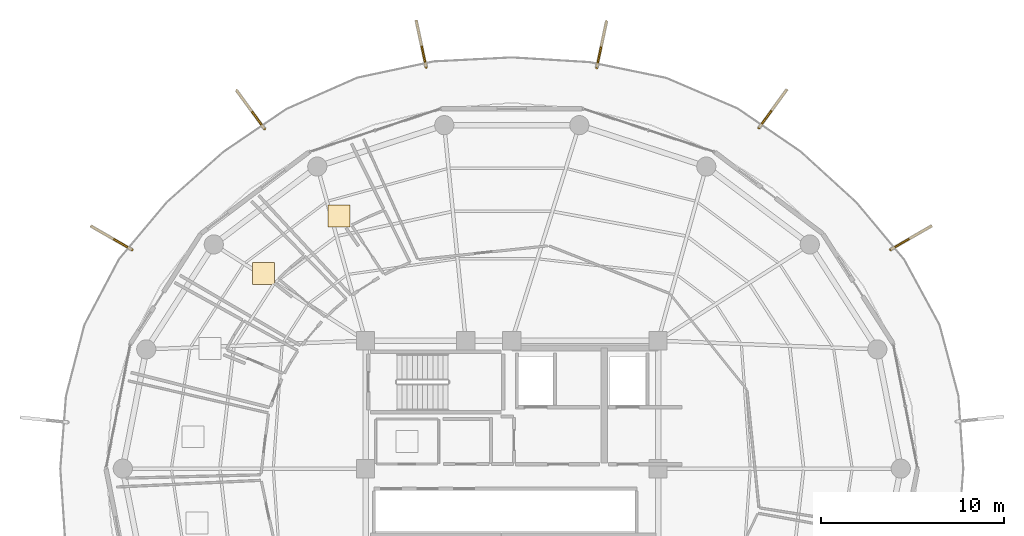
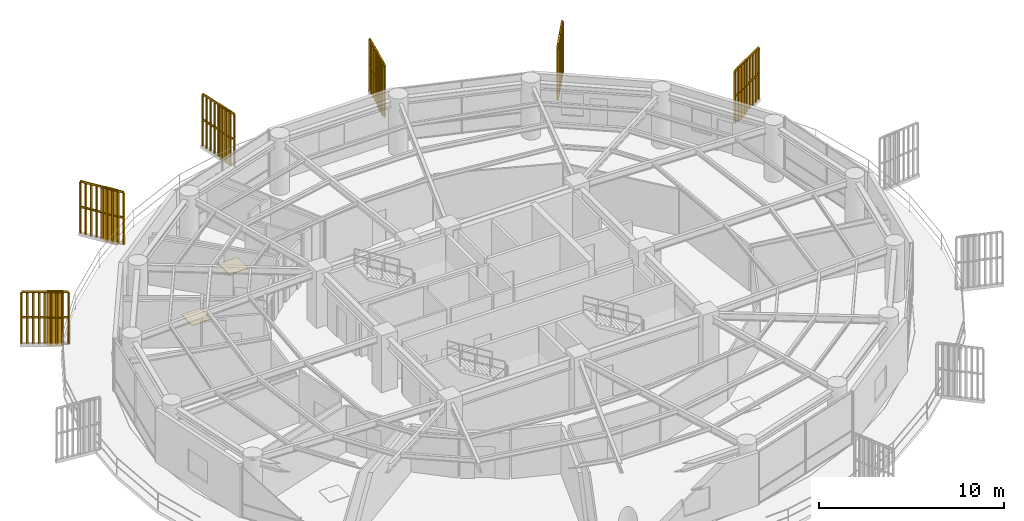
# One storey, part 31 of 31: 6 railings, 6 shading devices, 2 coverings.
"""IFC4 building model written with IfcOpenShell, lengths in metres."""

from ifc_helpers import new_model, si_unit, direction, frame, origin, origin_2d, place, context, subcontext, project, spatial, polyline, rectangle, outline, extrude, source, transform, mapped, material, layer, layer_set, type_object, element, save


model = new_model("IFC4")

# Units and contexts
model_context = context("Model", 3, precision=1e-05, world=origin(), true_north=direction((0.0, 1.0)))
body_context = subcontext(model_context, "Body", "Model", "MODEL_VIEW")
ifc_project = project(units=[si_unit("LENGTHUNIT", "METRE"), si_unit("AREAUNIT", "SQUARE_METRE"), si_unit("VOLUMEUNIT", "CUBIC_METRE"), si_unit("PLANEANGLEUNIT", "RADIAN"), si_unit("MASSUNIT", "GRAM", prefix="KILO")], contexts=[model_context])

# Site, building, storey
site_placement = place(None, origin())
site = spatial("IfcSite", under=ifc_project, at=site_placement, CompositionType="ELEMENT")
building_placement = place(site_placement, origin())
building = spatial("IfcBuilding", under=site, at=building_placement, Name="Kelanora Arch Commons", CompositionType="ELEMENT")
storey_placement = place(building_placement, frame((0.0, 0.0, 226.949951171875)))
storey = spatial("IfcBuildingStorey", under=building, at=storey_placement, Name="L58", CompositionType="ELEMENT", Elevation=226.949951171875)

# Railings
ifc_material_1 = material(Name="Anodised bronze vertical shading fin rib assembly")
railing_type = type_object("IfcRailingType", Name="RAIL-FIN-BRZ", PredefinedType="BALUSTRADE", material=ifc_material_1)
railing_1_placement = place(storey_placement, frame((94.722412109375, 69.984375, -0.02001953125)))
element("IfcRailing", 1, at=railing_1_placement, inside=storey, type_object=railing_type, Name="Sweeping Bronze Vertical Fin Blade L58-03", PredefinedType="BALUSTRADE", context=body_context, shape_type="SweptSolid", body=[
    extrude(outline(polyline([(0.06982421875, 0.0), (0.034912109375, 0.060546875), (-0.034912109375, 0.060546875), (-0.06982421875, 0.0), (-0.034912109375, -0.060546875), (0.034912109375, -0.060546875), (0.06982421875, 0.0)])), frame((0.0, 0.0, 3.419921875), z_axis=(0.865668200455, 0.500618184569, 0.0), x_axis=(-0.500618184569, 0.865668200455, 0.0)), (0.0, 0.0, 1.0), 2.555419921875),
    extrude(outline(polyline([(0.06982421875, 0.0), (0.034912109375, 0.060546875), (-0.034912109375, 0.060546875), (-0.06982421875, 0.0), (-0.034912109375, -0.060546875), (0.034912109375, -0.060546875), (0.06982421875, 0.0)])), frame((0.0, 0.0, 1.7451171875), z_axis=(0.865668200455, 0.500618184569, 0.0), x_axis=(-0.500618184569, 0.865668200455, 0.0)), (0.0, 0.0, 1.0), 2.555419921875),
    extrude(outline(polyline([(0.080078125, 0.0), (0.0400390625, 0.0693359375), (-0.0400390625, 0.0693359375), (-0.080078125, 0.0), (-0.0400390625, -0.0693359375), (0.0400390625, -0.0693359375), (0.080078125, 0.0)])), origin(), (0.0, 0.0, 1.0), 3.35009765625),
    extrude(outline(polyline([(0.080078125, 0.0), (0.0400390625, 0.0693359375), (-0.0400390625, 0.0693359375), (-0.080078125, 0.0), (-0.0400390625, -0.0693359375), (0.0400390625, -0.0693359375), (0.080078125, 0.0)])), frame((0.276611328125, 0.159912109375, 0.0)), (0.0, 0.0, 1.0), 3.35009765625),
    extrude(outline(polyline([(0.080078125, 0.0), (0.0400390625, 0.0693359375), (-0.0400390625, 0.0693359375), (-0.080078125, 0.0), (-0.0400390625, -0.0693359375), (0.0400390625, -0.0693359375), (0.080078125, 0.0)])), frame((0.552978515625, 0.31982421875, 0.0)), (0.0, 0.0, 1.0), 3.35009765625),
    extrude(outline(polyline([(0.080078125, 0.0), (0.0400390625, 0.0693359375), (-0.0400390625, 0.0693359375), (-0.080078125, 0.0), (-0.0400390625, -0.0693359375), (0.0400390625, -0.0693359375), (0.080078125, 0.0)])), frame((0.82958984375, 0.479736328125, 0.0)), (0.0, 0.0, 1.0), 3.35009765625),
    extrude(outline(polyline([(0.080078125, 0.0), (0.0400390625, 0.0693359375), (-0.0400390625, 0.0693359375), (-0.080078125, 0.0), (-0.0400390625, -0.0693359375), (0.0400390625, -0.0693359375), (0.080078125, 0.0)])), frame((1.10595703125, 0.6396484375, 0.0)), (0.0, 0.0, 1.0), 3.35009765625),
    extrude(outline(polyline([(0.080078125, 0.0), (0.0400390625, 0.0693359375), (-0.0400390625, 0.0693359375), (-0.080078125, 0.0), (-0.0400390625, -0.0693359375), (0.0400390625, -0.0693359375), (0.080078125, 0.0)])), frame((1.382568359375, 0.799560546875, 0.0)), (0.0, 0.0, 1.0), 3.35009765625),
    extrude(outline(polyline([(0.080078125, 0.0), (0.0400390625, 0.0693359375), (-0.0400390625, 0.0693359375), (-0.080078125, 0.0), (-0.0400390625, -0.0693359375), (0.0400390625, -0.0693359375), (0.080078125, 0.0)])), frame((1.6591796875, 0.95947265625, 0.0)), (0.0, 0.0, 1.0), 3.35009765625),
    extrude(outline(polyline([(0.080078125, 0.0), (0.0400390625, 0.0693359375), (-0.0400390625, 0.0693359375), (-0.080078125, 0.0), (-0.0400390625, -0.0693359375), (0.0400390625, -0.0693359375), (0.080078125, 0.0)])), frame((1.935546875, 1.119384765625, 0.0)), (0.0, 0.0, 1.0), 3.35009765625),
    extrude(outline(polyline([(0.080078125, 0.0), (0.0400390625, 0.0693359375), (-0.0400390625, 0.0693359375), (-0.080078125, 0.0), (-0.0400390625, -0.0693359375), (0.0400390625, -0.0693359375), (0.080078125, 0.0)])), frame((2.212158203125, 1.279296875, 0.0)), (0.0, 0.0, 1.0), 3.35009765625),
])
railing_2_placement = place(storey_placement, frame((87.52099609375, 76.638916015625, -0.02001953125)))
element("IfcRailing", 2, at=railing_2_placement, inside=storey, type_object=railing_type, Name="Sweeping Bronze Vertical Fin Blade L58-04", PredefinedType="BALUSTRADE", context=body_context, shape_type="SweptSolid", body=[
    extrude(outline(polyline([(0.06982421875, 0.0), (0.034912109375, 0.060546875), (-0.034912109375, 0.060546875), (-0.06982421875, 0.0), (-0.034912109375, -0.060546875), (0.034912109375, -0.060546875), (0.06982421875, 0.0)])), frame((0.0, 0.0, 3.419921875), z_axis=(0.587222706333, 0.809425409267, 0.0), x_axis=(-0.809425409267, 0.587222706333, 0.0)), (0.0, 0.0, 1.0), 2.5556640625),
    extrude(outline(polyline([(0.06982421875, 0.0), (0.034912109375, 0.060546875), (-0.034912109375, 0.060546875), (-0.06982421875, 0.0), (-0.034912109375, -0.060546875), (0.034912109375, -0.060546875), (0.06982421875, 0.0)])), frame((0.0, 0.0, 1.7451171875), z_axis=(0.587222706333, 0.809425409267, 0.0), x_axis=(-0.809425409267, 0.587222706333, 0.0)), (0.0, 0.0, 1.0), 2.5556640625),
    extrude(outline(polyline([(0.080078125, 0.0), (0.0400390625, 0.0693359375), (-0.0400390625, 0.0693359375), (-0.080078125, 0.0), (-0.0400390625, -0.0693359375), (0.0400390625, -0.0693359375), (0.080078125, 0.0)])), origin(), (0.0, 0.0, 1.0), 3.35009765625),
    extrude(outline(polyline([(0.080078125, 0.0), (0.0400390625, 0.0693359375), (-0.0400390625, 0.0693359375), (-0.080078125, 0.0), (-0.0400390625, -0.0693359375), (0.0400390625, -0.0693359375), (0.080078125, 0.0)])), frame((0.1875, 0.258544921875, 0.0)), (0.0, 0.0, 1.0), 3.35009765625),
    extrude(outline(polyline([(0.080078125, 0.0), (0.0400390625, 0.0693359375), (-0.0400390625, 0.0693359375), (-0.080078125, 0.0), (-0.0400390625, -0.0693359375), (0.0400390625, -0.0693359375), (0.080078125, 0.0)])), frame((0.375244140625, 0.51708984375, 0.0)), (0.0, 0.0, 1.0), 3.35009765625),
    extrude(outline(polyline([(0.080078125, 0.0), (0.0400390625, 0.0693359375), (-0.0400390625, 0.0693359375), (-0.080078125, 0.0), (-0.0400390625, -0.0693359375), (0.0400390625, -0.0693359375), (0.080078125, 0.0)])), frame((0.562744140625, 0.775634765625, 0.0)), (0.0, 0.0, 1.0), 3.35009765625),
    extrude(outline(polyline([(0.080078125, 0.0), (0.0400390625, 0.0693359375), (-0.0400390625, 0.0693359375), (-0.080078125, 0.0), (-0.0400390625, -0.0693359375), (0.0400390625, -0.0693359375), (0.080078125, 0.0)])), frame((0.75048828125, 1.0341796875, 0.0)), (0.0, 0.0, 1.0), 3.35009765625),
    extrude(outline(polyline([(0.080078125, 0.0), (0.0400390625, 0.0693359375), (-0.0400390625, 0.0693359375), (-0.080078125, 0.0), (-0.0400390625, -0.0693359375), (0.0400390625, -0.0693359375), (0.080078125, 0.0)])), frame((0.93798828125, 1.29296875, 0.0)), (0.0, 0.0, 1.0), 3.35009765625),
    extrude(outline(polyline([(0.080078125, 0.0), (0.0400390625, 0.0693359375), (-0.0400390625, 0.0693359375), (-0.080078125, 0.0), (-0.0400390625, -0.0693359375), (0.0400390625, -0.0693359375), (0.080078125, 0.0)])), frame((1.12548828125, 1.551513671875, 0.0)), (0.0, 0.0, 1.0), 3.35009765625),
    extrude(outline(polyline([(0.080078125, 0.0), (0.0400390625, 0.0693359375), (-0.0400390625, 0.0693359375), (-0.080078125, 0.0), (-0.0400390625, -0.0693359375), (0.0400390625, -0.0693359375), (0.080078125, 0.0)])), frame((1.313232421875, 1.81005859375, 0.0)), (0.0, 0.0, 1.0), 3.35009765625),
    extrude(outline(polyline([(0.080078125, 0.0), (0.0400390625, 0.0693359375), (-0.0400390625, 0.0693359375), (-0.080078125, 0.0), (-0.0400390625, -0.0693359375), (0.0400390625, -0.0693359375), (0.080078125, 0.0)])), frame((1.500732421875, 2.068603515625, 0.0)), (0.0, 0.0, 1.0), 3.35009765625),
])
railing_3_placement = place(storey_placement, frame((78.645751953125, 79.93603515625, -0.02001953125)))
element("IfcRailing", 3, at=railing_3_placement, inside=storey, type_object=railing_type, Name="Sweeping Bronze Vertical Fin Blade L58-05", PredefinedType="BALUSTRADE", context=body_context, shape_type="SweptSolid", body=[
    extrude(outline(polyline([(0.06982421875, 0.0), (0.034912109375, 0.060546875), (-0.034912109375, 0.060546875), (-0.06982421875, 0.0), (-0.034912109375, -0.060546875), (0.034912109375, -0.060546875), (0.06982421875, 0.0)])), frame((0.0, 0.0, 3.419921875), z_axis=(0.207218849047, 0.978294612374, 0.0), x_axis=(-0.978294612374, 0.207218849047, 0.0)), (0.0, 0.0, 1.0), 2.555419921875),
    extrude(outline(polyline([(0.06982421875, 0.0), (0.034912109375, 0.060546875), (-0.034912109375, 0.060546875), (-0.06982421875, 0.0), (-0.034912109375, -0.060546875), (0.034912109375, -0.060546875), (0.06982421875, 0.0)])), frame((0.0, 0.0, 1.7451171875), z_axis=(0.207218849047, 0.978294612374, 0.0), x_axis=(-0.978294612374, 0.207218849047, 0.0)), (0.0, 0.0, 1.0), 2.555419921875),
    extrude(outline(polyline([(0.080078125, 0.0), (0.0400390625, 0.0693359375), (-0.0400390625, 0.0693359375), (-0.080078125, 0.0), (-0.0400390625, -0.0693359375), (0.0400390625, -0.0693359375), (0.080078125, 0.0)])), origin(), (0.0, 0.0, 1.0), 3.35009765625),
    extrude(outline(polyline([(0.080078125, 0.0), (0.0400390625, 0.0693359375), (-0.0400390625, 0.0693359375), (-0.080078125, 0.0), (-0.0400390625, -0.0693359375), (0.0400390625, -0.0693359375), (0.080078125, 0.0)])), frame((0.066162109375, 0.3125, 0.0)), (0.0, 0.0, 1.0), 3.35009765625),
    extrude(outline(polyline([(0.080078125, 0.0), (0.0400390625, 0.0693359375), (-0.0400390625, 0.0693359375), (-0.080078125, 0.0), (-0.0400390625, -0.0693359375), (0.0400390625, -0.0693359375), (0.080078125, 0.0)])), frame((0.13232421875, 0.625, 0.0)), (0.0, 0.0, 1.0), 3.35009765625),
    extrude(outline(polyline([(0.080078125, 0.0), (0.0400390625, 0.0693359375), (-0.0400390625, 0.0693359375), (-0.080078125, 0.0), (-0.0400390625, -0.0693359375), (0.0400390625, -0.0693359375), (0.080078125, 0.0)])), frame((0.198486328125, 0.9375, 0.0)), (0.0, 0.0, 1.0), 3.35009765625),
    extrude(outline(polyline([(0.080078125, 0.0), (0.0400390625, 0.0693359375), (-0.0400390625, 0.0693359375), (-0.080078125, 0.0), (-0.0400390625, -0.0693359375), (0.0400390625, -0.0693359375), (0.080078125, 0.0)])), frame((0.2646484375, 1.25, 0.0)), (0.0, 0.0, 1.0), 3.35009765625),
    extrude(outline(polyline([(0.080078125, 0.0), (0.0400390625, 0.0693359375), (-0.0400390625, 0.0693359375), (-0.080078125, 0.0), (-0.0400390625, -0.0693359375), (0.0400390625, -0.0693359375), (0.080078125, 0.0)])), frame((0.3310546875, 1.5625, 0.0)), (0.0, 0.0, 1.0), 3.35009765625),
    extrude(outline(polyline([(0.080078125, 0.0), (0.0400390625, 0.0693359375), (-0.0400390625, 0.0693359375), (-0.080078125, 0.0), (-0.0400390625, -0.0693359375), (0.0400390625, -0.0693359375), (0.080078125, 0.0)])), frame((0.397216796875, 1.875, 0.0)), (0.0, 0.0, 1.0), 3.35009765625),
    extrude(outline(polyline([(0.080078125, 0.0), (0.0400390625, 0.0693359375), (-0.0400390625, 0.0693359375), (-0.080078125, 0.0), (-0.0400390625, -0.0693359375), (0.0400390625, -0.0693359375), (0.080078125, 0.0)])), frame((0.46337890625, 2.1875, 0.0)), (0.0, 0.0, 1.0), 3.35009765625),
    extrude(outline(polyline([(0.080078125, 0.0), (0.0400390625, 0.0693359375), (-0.0400390625, 0.0693359375), (-0.080078125, 0.0), (-0.0400390625, -0.0693359375), (0.0400390625, -0.0693359375), (0.080078125, 0.0)])), frame((0.529541015625, 2.5, 0.0)), (0.0, 0.0, 1.0), 3.35009765625),
])
railing_4_placement = place(storey_placement, frame((69.31396484375, 79.966552734375, -0.02001953125)))
element("IfcRailing", 4, at=railing_4_placement, inside=storey, type_object=railing_type, Name="Sweeping Bronze Vertical Fin Blade L58-06", PredefinedType="BALUSTRADE", context=body_context, shape_type="SweptSolid", body=[
    extrude(outline(polyline([(0.06982421875, 0.0), (0.034912109375, 0.060546875), (-0.034912109375, 0.060546875), (-0.06982421875, 0.0), (-0.034912109375, -0.060546875), (0.034912109375, -0.060546875), (0.06982421875, 0.0)])), frame((0.0, 0.0, 3.419921875), z_axis=(-0.208556839955, 0.97801024765, 0.0), x_axis=(-0.97801024765, -0.208556839955, 0.0)), (0.0, 0.0, 1.0), 2.555419921875),
    extrude(outline(polyline([(0.06982421875, 0.0), (0.034912109375, 0.060546875), (-0.034912109375, 0.060546875), (-0.06982421875, 0.0), (-0.034912109375, -0.060546875), (0.034912109375, -0.060546875), (0.06982421875, 0.0)])), frame((0.0, 0.0, 1.7451171875), z_axis=(-0.208556839955, 0.97801024765, 0.0), x_axis=(-0.97801024765, -0.208556839955, 0.0)), (0.0, 0.0, 1.0), 2.555419921875),
    extrude(outline(polyline([(0.080078125, 0.0), (0.0400390625, 0.0693359375), (-0.0400390625, 0.0693359375), (-0.080078125, 0.0), (-0.0400390625, -0.0693359375), (0.0400390625, -0.0693359375), (0.080078125, 0.0)])), origin(), (0.0, 0.0, 1.0), 3.35009765625),
    extrude(outline(polyline([(0.080078125, 0.0), (0.0400390625, 0.0693359375), (-0.0400390625, 0.0693359375), (-0.080078125, 0.0), (-0.0400390625, -0.0693359375), (0.0400390625, -0.0693359375), (0.080078125, 0.0)])), frame((-0.066650390625, 0.3125, 0.0)), (0.0, 0.0, 1.0), 3.35009765625),
    extrude(outline(polyline([(0.080078125, 0.0), (0.0400390625, 0.0693359375), (-0.0400390625, 0.0693359375), (-0.080078125, 0.0), (-0.0400390625, -0.0693359375), (0.0400390625, -0.0693359375), (0.080078125, 0.0)])), frame((-0.13330078125, 0.624755859375, 0.0)), (0.0, 0.0, 1.0), 3.35009765625),
    extrude(outline(polyline([(0.080078125, 0.0), (0.0400390625, 0.0693359375), (-0.0400390625, 0.0693359375), (-0.080078125, 0.0), (-0.0400390625, -0.0693359375), (0.0400390625, -0.0693359375), (0.080078125, 0.0)])), frame((-0.199951171875, 0.937255859375, 0.0)), (0.0, 0.0, 1.0), 3.35009765625),
    extrude(outline(polyline([(0.080078125, 0.0), (0.0400390625, 0.0693359375), (-0.0400390625, 0.0693359375), (-0.080078125, 0.0), (-0.0400390625, -0.0693359375), (0.0400390625, -0.0693359375), (0.080078125, 0.0)])), frame((-0.2666015625, 1.24951171875, 0.0)), (0.0, 0.0, 1.0), 3.35009765625),
    extrude(outline(polyline([(0.080078125, 0.0), (0.0400390625, 0.0693359375), (-0.0400390625, 0.0693359375), (-0.080078125, 0.0), (-0.0400390625, -0.0693359375), (0.0400390625, -0.0693359375), (0.080078125, 0.0)])), frame((-0.3330078125, 1.56201171875, 0.0)), (0.0, 0.0, 1.0), 3.35009765625),
    extrude(outline(polyline([(0.080078125, 0.0), (0.0400390625, 0.0693359375), (-0.0400390625, 0.0693359375), (-0.080078125, 0.0), (-0.0400390625, -0.0693359375), (0.0400390625, -0.0693359375), (0.080078125, 0.0)])), frame((-0.399658203125, 1.87451171875, 0.0)), (0.0, 0.0, 1.0), 3.35009765625),
    extrude(outline(polyline([(0.080078125, 0.0), (0.0400390625, 0.0693359375), (-0.0400390625, 0.0693359375), (-0.080078125, 0.0), (-0.0400390625, -0.0693359375), (0.0400390625, -0.0693359375), (0.080078125, 0.0)])), frame((-0.46630859375, 2.186767578125, 0.0)), (0.0, 0.0, 1.0), 3.35009765625),
    extrude(outline(polyline([(0.080078125, 0.0), (0.0400390625, 0.0693359375), (-0.0400390625, 0.0693359375), (-0.080078125, 0.0), (-0.0400390625, -0.0693359375), (0.0400390625, -0.0693359375), (0.080078125, 0.0)])), frame((-0.532958984375, 2.499267578125, 0.0)), (0.0, 0.0, 1.0), 3.35009765625),
])
railing_5_placement = place(storey_placement, frame((60.469970703125, 76.59375, -0.02001953125)))
element("IfcRailing", 5, at=railing_5_placement, inside=storey, type_object=railing_type, Name="Sweeping Bronze Vertical Fin Blade L58-07", PredefinedType="BALUSTRADE", context=body_context, shape_type="SweptSolid", body=[
    extrude(outline(polyline([(0.06982421875, 0.0), (0.034912109375, 0.060546875), (-0.034912109375, 0.060546875), (-0.06982421875, 0.0), (-0.034912109375, -0.060546875), (0.034912109375, -0.060546875), (0.06982421875, 0.0)])), frame((0.0, 0.0, 3.419921875), z_axis=(-0.588381848307, 0.808583205727, 0.0), x_axis=(-0.808583205727, -0.588381848307, 0.0)), (0.0, 0.0, 1.0), 2.5556640625),
    extrude(outline(polyline([(0.06982421875, 0.0), (0.034912109375, 0.060546875), (-0.034912109375, 0.060546875), (-0.06982421875, 0.0), (-0.034912109375, -0.060546875), (0.034912109375, -0.060546875), (0.06982421875, 0.0)])), frame((0.0, 0.0, 1.7451171875), z_axis=(-0.588381848307, 0.808583205727, 0.0), x_axis=(-0.808583205727, -0.588381848307, 0.0)), (0.0, 0.0, 1.0), 2.5556640625),
    extrude(outline(polyline([(0.080078125, 0.0), (0.0400390625, 0.0693359375), (-0.0400390625, 0.0693359375), (-0.080078125, 0.0), (-0.0400390625, -0.0693359375), (0.0400390625, -0.0693359375), (0.080078125, 0.0)])), origin(), (0.0, 0.0, 1.0), 3.35009765625),
    extrude(outline(polyline([(0.080078125, 0.0), (0.0400390625, 0.0693359375), (-0.0400390625, 0.0693359375), (-0.080078125, 0.0), (-0.0400390625, -0.0693359375), (0.0400390625, -0.0693359375), (0.080078125, 0.0)])), frame((-0.18798828125, 0.25830078125, 0.0)), (0.0, 0.0, 1.0), 3.35009765625),
    extrude(outline(polyline([(0.080078125, 0.0), (0.0400390625, 0.0693359375), (-0.0400390625, 0.0693359375), (-0.080078125, 0.0), (-0.0400390625, -0.0693359375), (0.0400390625, -0.0693359375), (0.080078125, 0.0)])), frame((-0.3759765625, 0.5166015625, 0.0)), (0.0, 0.0, 1.0), 3.35009765625),
    extrude(outline(polyline([(0.080078125, 0.0), (0.0400390625, 0.0693359375), (-0.0400390625, 0.0693359375), (-0.080078125, 0.0), (-0.0400390625, -0.0693359375), (0.0400390625, -0.0693359375), (0.080078125, 0.0)])), frame((-0.56396484375, 0.77490234375, 0.0)), (0.0, 0.0, 1.0), 3.35009765625),
    extrude(outline(polyline([(0.080078125, 0.0), (0.0400390625, 0.0693359375), (-0.0400390625, 0.0693359375), (-0.080078125, 0.0), (-0.0400390625, -0.0693359375), (0.0400390625, -0.0693359375), (0.080078125, 0.0)])), frame((-0.751953125, 1.033203125, 0.0)), (0.0, 0.0, 1.0), 3.35009765625),
    extrude(outline(polyline([(0.080078125, 0.0), (0.0400390625, 0.0693359375), (-0.0400390625, 0.0693359375), (-0.080078125, 0.0), (-0.0400390625, -0.0693359375), (0.0400390625, -0.0693359375), (0.080078125, 0.0)])), frame((-0.939697265625, 1.29150390625, 0.0)), (0.0, 0.0, 1.0), 3.35009765625),
    extrude(outline(polyline([(0.080078125, 0.0), (0.0400390625, 0.0693359375), (-0.0400390625, 0.0693359375), (-0.080078125, 0.0), (-0.0400390625, -0.0693359375), (0.0400390625, -0.0693359375), (0.080078125, 0.0)])), frame((-1.127685546875, 1.5498046875, 0.0)), (0.0, 0.0, 1.0), 3.35009765625),
    extrude(outline(polyline([(0.080078125, 0.0), (0.0400390625, 0.0693359375), (-0.0400390625, 0.0693359375), (-0.080078125, 0.0), (-0.0400390625, -0.0693359375), (0.0400390625, -0.0693359375), (0.080078125, 0.0)])), frame((-1.315673828125, 1.80810546875, 0.0)), (0.0, 0.0, 1.0), 3.35009765625),
    extrude(outline(polyline([(0.080078125, 0.0), (0.0400390625, 0.0693359375), (-0.0400390625, 0.0693359375), (-0.080078125, 0.0), (-0.0400390625, -0.0693359375), (0.0400390625, -0.0693359375), (0.080078125, 0.0)])), frame((-1.503662109375, 2.06640625, 0.0)), (0.0, 0.0, 1.0), 3.35009765625),
])
railing_6_placement = place(storey_placement, frame((53.224853515625, 69.974365234375, -0.02001953125)))
element("IfcRailing", 6, at=railing_6_placement, inside=storey, type_object=railing_type, Name="Sweeping Bronze Vertical Fin Blade L58-08", PredefinedType="BALUSTRADE", context=body_context, shape_type="SweptSolid", body=[
    extrude(outline(polyline([(0.06982421875, 0.0), (0.034912109375, 0.060546875), (-0.034912109375, 0.060546875), (-0.06982421875, 0.0), (-0.034912109375, -0.060546875), (0.034912109375, -0.060546875), (0.06982421875, 0.0)])), frame((0.0, 0.0, 3.419921875), z_axis=(-0.866397040247, 0.499355753597, 0.0), x_axis=(-0.499355753597, -0.866397040247, 0.0)), (0.0, 0.0, 1.0), 2.555419921875),
    extrude(outline(polyline([(0.06982421875, 0.0), (0.034912109375, 0.060546875), (-0.034912109375, 0.060546875), (-0.06982421875, 0.0), (-0.034912109375, -0.060546875), (0.034912109375, -0.060546875), (0.06982421875, 0.0)])), frame((0.0, 0.0, 1.7451171875), z_axis=(-0.866397040247, 0.499355753597, 0.0), x_axis=(-0.499355753597, -0.866397040247, 0.0)), (0.0, 0.0, 1.0), 2.555419921875),
    extrude(outline(polyline([(0.080078125, 0.0), (0.0400390625, 0.0693359375), (-0.0400390625, 0.0693359375), (-0.080078125, 0.0), (-0.0400390625, -0.0693359375), (0.0400390625, -0.0693359375), (0.080078125, 0.0)])), origin(), (0.0, 0.0, 1.0), 3.35009765625),
    extrude(outline(polyline([(0.080078125, 0.0), (0.0400390625, 0.0693359375), (-0.0400390625, 0.0693359375), (-0.080078125, 0.0), (-0.0400390625, -0.0693359375), (0.0400390625, -0.0693359375), (0.080078125, 0.0)])), frame((-0.27685546875, 0.159423828125, 0.0)), (0.0, 0.0, 1.0), 3.35009765625),
    extrude(outline(polyline([(0.080078125, 0.0), (0.0400390625, 0.0693359375), (-0.0400390625, 0.0693359375), (-0.080078125, 0.0), (-0.0400390625, -0.0693359375), (0.0400390625, -0.0693359375), (0.080078125, 0.0)])), frame((-0.553466796875, 0.319091796875, 0.0)), (0.0, 0.0, 1.0), 3.35009765625),
    extrude(outline(polyline([(0.080078125, 0.0), (0.0400390625, 0.0693359375), (-0.0400390625, 0.0693359375), (-0.080078125, 0.0), (-0.0400390625, -0.0693359375), (0.0400390625, -0.0693359375), (0.080078125, 0.0)])), frame((-0.830322265625, 0.478515625, 0.0)), (0.0, 0.0, 1.0), 3.35009765625),
    extrude(outline(polyline([(0.080078125, 0.0), (0.0400390625, 0.0693359375), (-0.0400390625, 0.0693359375), (-0.080078125, 0.0), (-0.0400390625, -0.0693359375), (0.0400390625, -0.0693359375), (0.080078125, 0.0)])), frame((-1.10693359375, 0.63818359375, 0.0)), (0.0, 0.0, 1.0), 3.35009765625),
    extrude(outline(polyline([(0.080078125, 0.0), (0.0400390625, 0.0693359375), (-0.0400390625, 0.0693359375), (-0.080078125, 0.0), (-0.0400390625, -0.0693359375), (0.0400390625, -0.0693359375), (0.080078125, 0.0)])), frame((-1.3837890625, 0.797607421875, 0.0)), (0.0, 0.0, 1.0), 3.35009765625),
    extrude(outline(polyline([(0.080078125, 0.0), (0.0400390625, 0.0693359375), (-0.0400390625, 0.0693359375), (-0.080078125, 0.0), (-0.0400390625, -0.0693359375), (0.0400390625, -0.0693359375), (0.080078125, 0.0)])), frame((-1.66064453125, 0.95703125, 0.0)), (0.0, 0.0, 1.0), 3.35009765625),
    extrude(outline(polyline([(0.080078125, 0.0), (0.0400390625, 0.0693359375), (-0.0400390625, 0.0693359375), (-0.080078125, 0.0), (-0.0400390625, -0.0693359375), (0.0400390625, -0.0693359375), (0.080078125, 0.0)])), frame((-1.937255859375, 1.11669921875, 0.0)), (0.0, 0.0, 1.0), 3.35009765625),
    extrude(outline(polyline([(0.080078125, 0.0), (0.0400390625, 0.0693359375), (-0.0400390625, 0.0693359375), (-0.080078125, 0.0), (-0.0400390625, -0.0693359375), (0.0400390625, -0.0693359375), (0.080078125, 0.0)])), frame((-2.214111328125, 1.276123046875, 0.0)), (0.0, 0.0, 1.0), 3.35009765625),
])

# Shading devices
ifc_material_2 = material(Name="Terracotta ceramic-clad extruded aluminium fin", Category="masonry")
shading_device_type = type_object("IfcShadingDeviceType", Name="SHD-FIN-FLARE", PredefinedType="USERDEFINED", material=ifc_material_2)
shared_shape_1 = source(origin(), body_context, "Body", "SweptSolid", [
    extrude(rectangle(XDim=0.8798828125, YDim=0.090087890625, at=origin_2d()), origin(), (0.0, 0.0, 1.0), 3.610107421875),
])
for number, where, z_axis, x_axis, name in (
    (7, (95.345703125, 70.3447265625, -0.14013671875), (0.0, 0.0, 1.0), (0.865676126917, 0.500604477892, 0.0), "Sweeping Terracotta Fin L58-03"),
    (8, (87.94384765625, 77.2216796875, -0.14013671875), (0.0, 0.0, 1.0), (0.587220308688, 0.809427148707, 0.0), "Sweeping Terracotta Fin L58-04"),
    (9, (78.794921875, 80.640380859375, -0.14013671875), (0.0, 0.0, 1.0), (0.207228764358, 0.978292512096, 0.0), "Sweeping Terracotta Fin L58-05"),
    (10, (69.163818359375, 80.670654296875, -0.14013671875), (0.0, 0.0, 1.0), (-0.208594515944, 0.978002212635, 0.0), "Sweeping Terracotta Fin L58-06"),
    (11, (60.04638671875, 77.176025390625, -0.14013671875), (0.0, 0.0, 1.0), (-0.588349909417, 0.808606445738, 0.0), "Sweeping Terracotta Fin L58-07"),
    (12, (52.60107421875, 70.333740234375, -0.14013671875), (0.0, 0.0, 1.0), (-0.866374258561, 0.499395278414, 0.0), "Sweeping Terracotta Fin L58-08"),
):
    element("IfcShadingDevice", number, at=place(storey_placement, frame(where, z_axis=z_axis, x_axis=x_axis)), inside=storey, type_object=shading_device_type, Name=name, ObjectType="FIN", PredefinedType="USERDEFINED", context=body_context, shape_type="MappedRepresentation", body=[
        mapped(shared_shape_1, transform((0.0, 0.0, 0.0), scale=1.0)),
    ])

# Coverings
ifc_material_3 = material(Name="Polished local granite terrazzo flooring", Category="masonry")
ifc_layer = layer(ifc_material_3, 0.030029296875)
ifc_layer_set = layer_set([ifc_layer], Name="Polished local granite terrazzo flooring")
covering_type = type_object("IfcCoveringType", Name="COV-FLR-TER", PredefinedType="FLOORING", material=ifc_layer_set)
shared_shape_2 = source(origin(), body_context, "Body", "SweptSolid", [
    extrude(rectangle(XDim=1.199951171875, YDim=1.199951171875, at=origin_2d()), origin(), (0.0, 0.0, 1.0), 0.030029296875),
])
for number, where, z_axis, x_axis, name in (
    (13, (64.54736328125, 71.810302734375, 0.0), (0.0, 0.0, 1.0), (1.0, 0.0, 0.0), "Cluster Bedroom L58-01 Terrazzo Finish"),
    (14, (60.410400390625, 68.66748046875, 0.0), (0.0, 0.0, 1.0), (1.0, 0.0, 0.0), "Cluster Bedroom L58-02 Terrazzo Finish"),
):
    element("IfcCovering", number, at=place(storey_placement, frame(where, z_axis=z_axis, x_axis=x_axis)), inside=storey, type_object=covering_type, Name=name, PredefinedType="FLOORING", context=body_context, shape_type="MappedRepresentation", body=[
        mapped(shared_shape_2, transform((0.0, 0.0, 0.0), scale=1.0)),
    ])

save(model, "model.ifc")
